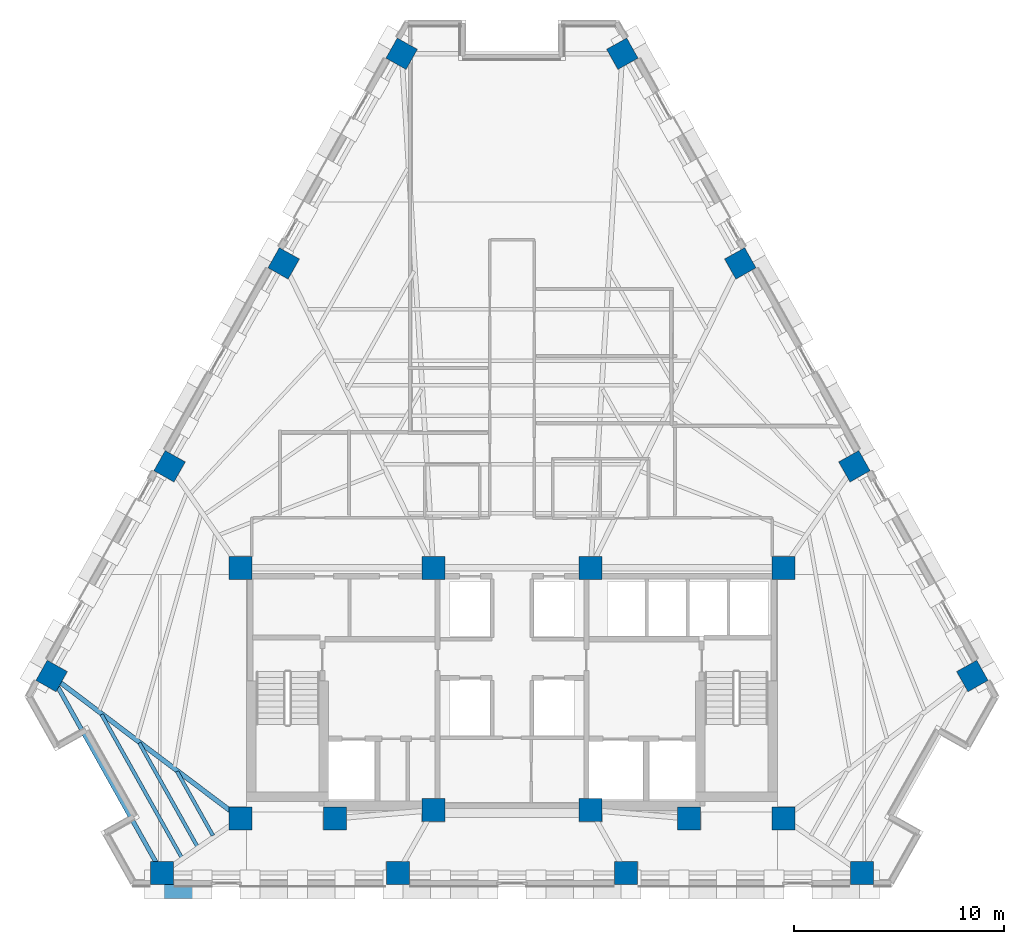
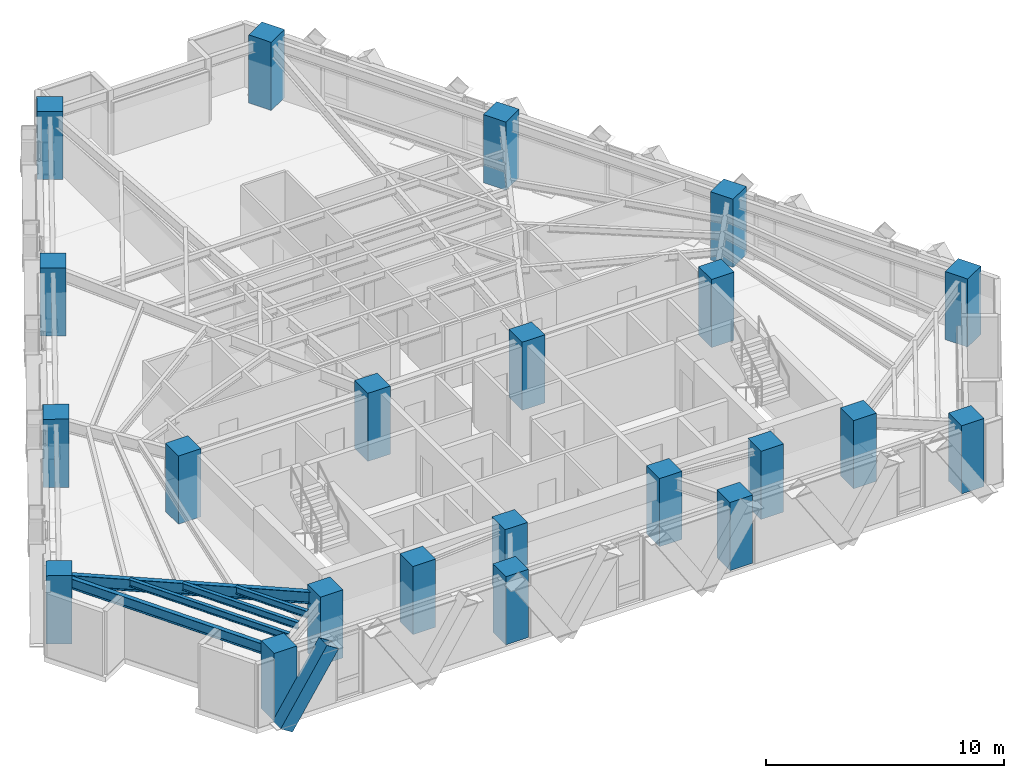
# One storey, part 1 of 13: 22 columns, 5 beams, 1 member.
"""IFC4 building model written with IfcOpenShell, lengths in metres."""

from ifc_helpers import new_model, si_unit, direction, frame, origin, origin_2d, place, context, subcontext, project, spatial, rectangle, hollow_rectangle, i_section, extrude, material, material_profile, profile_set, type_object, element, save


model = new_model("IFC4")

# Units and contexts
model_context = context("Model", 3, precision=1e-05, world=origin(), true_north=direction((0.0, 1.0)))
body_context = subcontext(model_context, "Body", "Model", "MODEL_VIEW")
ifc_project = project(units=[si_unit("LENGTHUNIT", "METRE"), si_unit("AREAUNIT", "SQUARE_METRE"), si_unit("VOLUMEUNIT", "CUBIC_METRE"), si_unit("PLANEANGLEUNIT", "RADIAN"), si_unit("MASSUNIT", "GRAM", prefix="KILO")], contexts=[model_context])

# Site, building, storey
site_placement = place(None, origin())
site = spatial("IfcSite", under=ifc_project, at=site_placement, CompositionType="ELEMENT")
building_placement = place(site_placement, origin())
building = spatial("IfcBuilding", under=site, at=building_placement, Name="Quenlor Broadcast Tower", CompositionType="ELEMENT")
storey_placement = place(building_placement, frame((0.0, 0.0, 109.0)))
storey = spatial("IfcBuildingStorey", under=building, at=storey_placement, Name="L29", CompositionType="ELEMENT", Elevation=109.0)

# Columns
ifc_material_1 = material(Name="Concrete C65/80", Category="concrete")
ifc_material_profile_1 = material_profile(ifc_material_1, rectangle(XDim=1.10009765625, YDim=1.10009765625, at=origin_2d()))
ifc_profile_set_1 = profile_set([ifc_material_profile_1], Name="Concrete C65/80 RC1100x1100")
column_type_1 = type_object("IfcColumnType", Name="Core Corner Column Mid Concrete C65/80 1100", PredefinedType="COLUMN", material=ifc_profile_set_1)
for number, where, z_axis, x_axis, name in (
    (1, (-12.949951171875, -16.75, 0.0), (0.0, 0.0, 1.0), (1.0, 0.0, 0.0), "L29 Core Column CC1"),
    (2, (-8.449951171875, -16.75, 0.0), (0.0, 0.0, 1.0), (1.0, 0.0, 0.0), "L29 Core Column CC2"),
    (3, (-3.75, -16.35009765625, 0.0), (0.0, 0.0, 1.0), (1.0, 0.0, 0.0), "L29 Core Column CC3"),
    (4, (3.75, -16.35009765625, 0.0), (0.0, 0.0, 1.0), (1.0, 0.0, 0.0), "L29 Core Column CC4"),
    (5, (8.449951171875, -16.75, 0.0), (0.0, 0.0, 1.0), (1.0, 0.0, 0.0), "L29 Core Column CC5"),
    (6, (12.949951171875, -16.75, 0.0), (0.0, 0.0, 1.0), (1.0, 0.0, 0.0), "L29 Core Column CC6"),
    (7, (-12.949951171875, -4.800048828125, 0.0), (0.0, 0.0, 1.0), (1.0, 0.0, 0.0), "L29 Core Column CC7"),
    (8, (-3.75, -4.800048828125, 0.0), (0.0, 0.0, 1.0), (1.0, 0.0, 0.0), "L29 Core Column CC8"),
    (9, (3.75, -4.800048828125, 0.0), (0.0, 0.0, 1.0), (1.0, 0.0, 0.0), "L29 Core Column CC9"),
    (10, (12.949951171875, -4.800048828125, 0.0), (0.0, 0.0, 1.0), (1.0, 0.0, 0.0), "L29 Core Column CC10"),
):
    element("IfcColumn", number, at=place(storey_placement, frame(where, z_axis=z_axis, x_axis=x_axis)), inside=storey, type_object=column_type_1, Name=name, PredefinedType="COLUMN", context=body_context, shape_type="SweptSolid", body=[
        extrude(rectangle(XDim=1.10009765625, YDim=1.10009765625, at=origin_2d()), origin(), (0.0, 0.0, 1.0), 3.5),
    ])
ifc_material_2 = material(Name="Concrete C65/80", Category="concrete")
ifc_material_profile_2 = material_profile(ifc_material_2, rectangle(XDim=1.10009765625, YDim=1.10009765625, at=origin_2d()))
ifc_profile_set_2 = profile_set([ifc_material_profile_2], Name="Concrete C65/80 RC1100x1100")
column_type_2 = type_object("IfcColumnType", Name="Tower Perimeter Column Z2 Concrete C65/80 1100", PredefinedType="COLUMN", material=ifc_profile_set_2)
for number, where, z_axis, x_axis, name in (
    (11, (-16.6923828125, -19.35009765625, 0.0), (0.0, 0.0, 1.0), (0.0, 1.0, 0.0), "L29 Perimeter Column S1"),
    (12, (-5.443115234375, -19.35009765625, 0.0), (0.0, 0.0, 1.0), (0.0, 1.0, 0.0), "L29 Perimeter Column S2"),
    (13, (5.443115234375, -19.35009765625, 0.0), (0.0, 0.0, 1.0), (0.0, 1.0, 0.0), "L29 Perimeter Column S3"),
    (14, (16.6923828125, -19.35009765625, 0.0), (0.0, 0.0, 1.0), (0.0, 1.0, 0.0), "L29 Perimeter Column S4"),
    (15, (21.95458984375, -9.95654296875, 0.0), (0.0, 0.0, 1.0), (0.871575139605, 0.490261946333, 0.0), "L29 Perimeter Column NE1"),
    (16, (16.330078125, 0.04296875, 0.0), (0.0, 0.0, 1.0), (0.871575139605, 0.490261946333, 0.0), "L29 Perimeter Column NE2"),
    (17, (10.886962890625, 9.7197265625, 0.0), (0.0, 0.0, 1.0), (0.871575139605, 0.490261946333, 0.0), "L29 Perimeter Column NE3"),
    (18, (5.26220703125, 19.718994140625, 0.0), (0.0, 0.0, 1.0), (0.871575139605, 0.490261946333, 0.0), "L29 Perimeter Column NE4"),
    (19, (-5.26220703125, 19.718994140625, 0.0), (0.0, 0.0, 1.0), (-0.871575139605, 0.490261946333, 0.0), "L29 Perimeter Column NW1"),
    (20, (-10.886962890625, 9.7197265625, 0.0), (0.0, 0.0, 1.0), (-0.871575139605, 0.490261946333, 0.0), "L29 Perimeter Column NW2"),
    (21, (-16.330078125, 0.04296875, 0.0), (0.0, 0.0, 1.0), (-0.871575139605, 0.490261946333, 0.0), "L29 Perimeter Column NW3"),
    (22, (-21.95458984375, -9.95654296875, 0.0), (0.0, 0.0, 1.0), (-0.871575139605, 0.490261946333, 0.0), "L29 Perimeter Column NW4"),
):
    element("IfcColumn", number, at=place(storey_placement, frame(where, z_axis=z_axis, x_axis=x_axis)), inside=storey, type_object=column_type_2, Name=name, PredefinedType="COLUMN", context=body_context, shape_type="SweptSolid", body=[
        extrude(rectangle(XDim=1.10009765625, YDim=1.10009765625, at=origin_2d()), origin(), (0.0, 0.0, 1.0), 3.5),
    ])

# Member
ifc_material_3 = material(Name="Steel S355", Category="steel")
ifc_material_profile_3 = material_profile(ifc_material_3, hollow_rectangle(XDim=0.679931640625, YDim=0.679931640625, WallThickness=0.030029296875, at=origin_2d()))
ifc_profile_set_3 = profile_set([ifc_material_profile_3], Name="Steel S355 RHS680x680x30")
member_type = type_object("IfcMemberType", Name="Perimeter Diagonal Lattice Brace Z2 Steel S355 RHS680x30", PredefinedType="BRACE", material=ifc_profile_set_3)
member_placement = place(storey_placement, frame((-17.030517578125, -20.235107421875, -0.1201171875), z_axis=(0.539968035679, 0.0, 0.841685523485), x_axis=(0.0, 1.0, 0.0)))
element("IfcMember", 23, at=member_placement, inside=storey, type_object=member_type, Name="L29 Perimeter Diamond Lattice S-C5B", PredefinedType="BRACE", context=body_context, shape_type="SweptSolid", body=[
    extrude(hollow_rectangle(XDim=0.679931640625, YDim=0.679931640625, WallThickness=0.030029296875, at=origin_2d()), origin(), (0.0, 0.0, 1.0), 4.158203125),
])

# Beams
ifc_material_4 = material(Name="Steel S355", Category="steel")
ifc_material_profile_4 = material_profile(ifc_material_4, i_section(OverallWidth=0.208984375, OverallDepth=0.5283203125, WebThickness=0.009521484375, FlangeThickness=0.01318359375, FilletRadius=0.013916015625, at=origin_2d()))
ifc_profile_set_4 = profile_set([ifc_material_profile_4], Name="Steel S355 530UB82.0")
beam_type_1 = type_object("IfcBeamType", Name="Perimeter Spandrel Beam Z2 Steel S355 530UB82.0", PredefinedType="SPANDREL", material=ifc_profile_set_4)
beam_1_placement = place(storey_placement, frame((-21.75439453125, -10.314208984375, 2.98583984375), z_axis=(0.488749102779, -0.872424389006, 0.0), x_axis=(0.872424389006, 0.488749102779, 0.0)))
element("IfcBeam", 24, at=beam_1_placement, inside=storey, type_object=beam_type_1, Name="L29 Spandrel Beam NW4-S1", PredefinedType="SPANDREL", context=body_context, shape_type="SweptSolid", body=[
    extrude(i_section(OverallWidth=0.208984375, OverallDepth=0.5283203125, WebThickness=0.009521484375, FlangeThickness=0.01318359375, FilletRadius=0.013916015625, at=origin_2d()), origin(), (0.0, 0.0, 1.0), 9.947021484375),
])
ifc_material_5 = material(Name="Steel S355", Category="steel")
ifc_material_profile_5 = material_profile(ifc_material_5, i_section(OverallWidth=0.172119140625, OverallDepth=0.358642578125, WebThickness=0.008056640625, FlangeThickness=0.012939453125, FilletRadius=0.011474609375, at=origin_2d()))
ifc_profile_set_5 = profile_set([ifc_material_profile_5], Name="Steel S355 360UB56.7")
beam_type_2 = type_object("IfcBeamType", Name="Tower Composite Joist Z2-Z3 Steel S355 360UB56.7", PredefinedType="JOIST", material=ifc_profile_set_5)
beam_2_placement = place(storey_placement, frame((-14.261474609375, -17.564208984375, 3.07080078125), z_axis=(-0.488730779643, 0.87243465373, 0.0), x_axis=(-0.87243465373, -0.488730779643, 0.0)))
element("IfcBeam", 25, at=beam_2_placement, inside=storey, type_object=beam_type_2, Name="L29 Secondary Composite Joist 19", PredefinedType="JOIST", context=body_context, shape_type="SweptSolid", body=[
    extrude(i_section(OverallWidth=0.172119140625, OverallDepth=0.358642578125, WebThickness=0.008056640625, FlangeThickness=0.012939453125, FilletRadius=0.011474609375, at=origin_2d()), origin(), (0.0, 0.0, 1.0), 3.500732421875),
])
beam_3_placement = place(storey_placement, frame((-15.010009765625, -18.084228515625, 3.07080078125), z_axis=(-0.488741419435, 0.87242869332, 0.0), x_axis=(-0.87242869332, -0.488741419435, 0.0)))
element("IfcBeam", 26, at=beam_3_placement, inside=storey, type_object=beam_type_2, Name="L29 Secondary Composite Joist 20", PredefinedType="JOIST", context=body_context, shape_type="SweptSolid", body=[
    extrude(i_section(OverallWidth=0.172119140625, OverallDepth=0.358642578125, WebThickness=0.008056640625, FlangeThickness=0.012939453125, FilletRadius=0.011474609375, at=origin_2d()), origin(), (0.0, 0.0, 1.0), 5.654052734375),
])
beam_4_placement = place(storey_placement, frame((-15.758544921875, -18.604248046875, 3.07080078125), z_axis=(-0.488732857155, 0.872433489922, 0.0), x_axis=(-0.872433489922, -0.488732857155, 0.0)))
element("IfcBeam", 27, at=beam_4_placement, inside=storey, type_object=beam_type_2, Name="L29 Secondary Composite Joist 21", PredefinedType="JOIST", context=body_context, shape_type="SweptSolid", body=[
    extrude(i_section(OverallWidth=0.172119140625, OverallDepth=0.358642578125, WebThickness=0.008056640625, FlangeThickness=0.012939453125, FilletRadius=0.011474609375, at=origin_2d()), origin(), (0.0, 0.0, 1.0), 7.807861328125),
])
ifc_material_6 = material(Name="Steel S355", Category="steel")
ifc_material_profile_6 = material_profile(ifc_material_6, i_section(OverallWidth=0.22802734375, OverallDepth=0.60205078125, WebThickness=0.010498046875, FlangeThickness=0.014892578125, FilletRadius=0.013916015625, at=origin_2d()))
ifc_profile_set_6 = profile_set([ifc_material_profile_6], Name="Steel S355 610UB101")
beam_type_3 = type_object("IfcBeamType", Name="Tower Primary Floor Beam Z2 Steel S355 610UB101", PredefinedType="BEAM", material=ifc_profile_set_6)
beam_5_placement = place(storey_placement, frame((-21.62744140625, -10.203369140625, 2.948974609375), z_axis=(0.798298724007, -0.602261693327, 0.0), x_axis=(0.602261693327, 0.798298724007, 0.0)))
element("IfcBeam", 28, at=beam_5_placement, inside=storey, type_object=beam_type_3, Name="L29 Primary Radial Beam NW4", PredefinedType="BEAM", context=body_context, shape_type="SweptSolid", body=[
    extrude(i_section(OverallWidth=0.22802734375, OverallDepth=0.60205078125, WebThickness=0.010498046875, FlangeThickness=0.014892578125, FilletRadius=0.013916015625, at=origin_2d()), origin(), (0.0, 0.0, 1.0), 10.48974609375),
])

save(model, "model.ifc")
